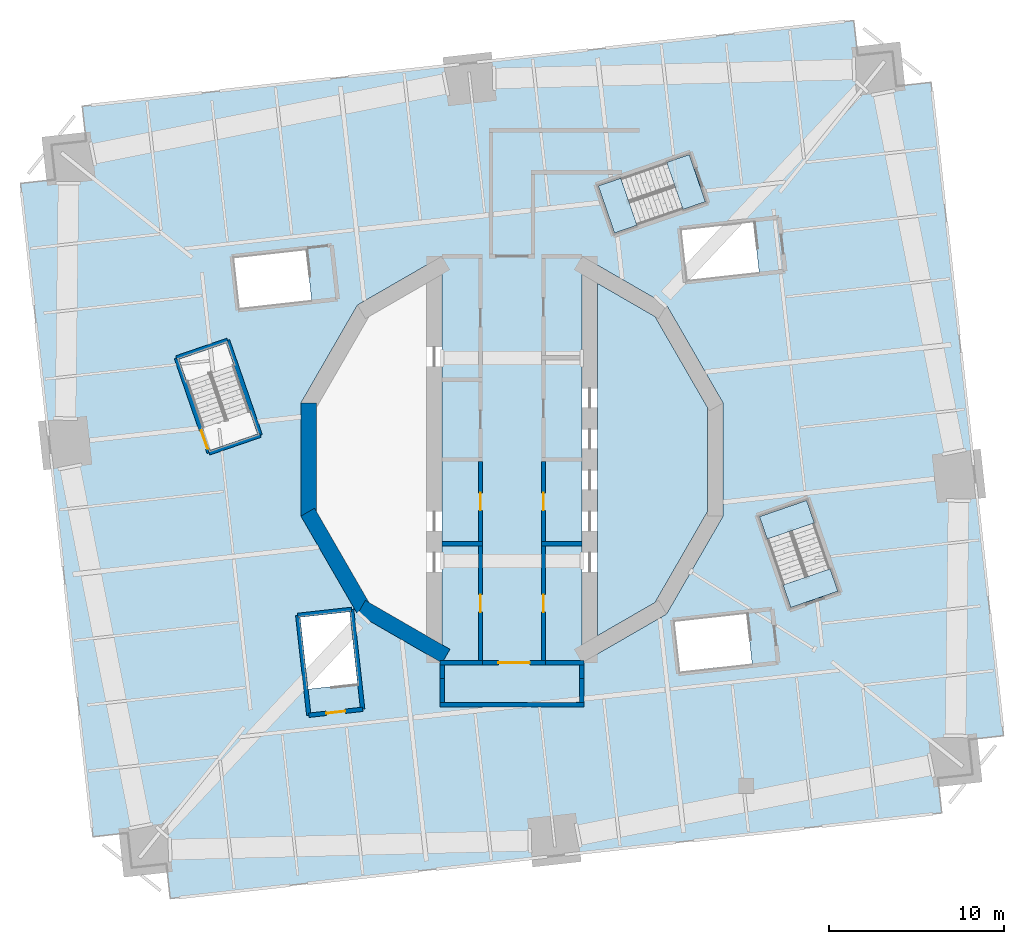
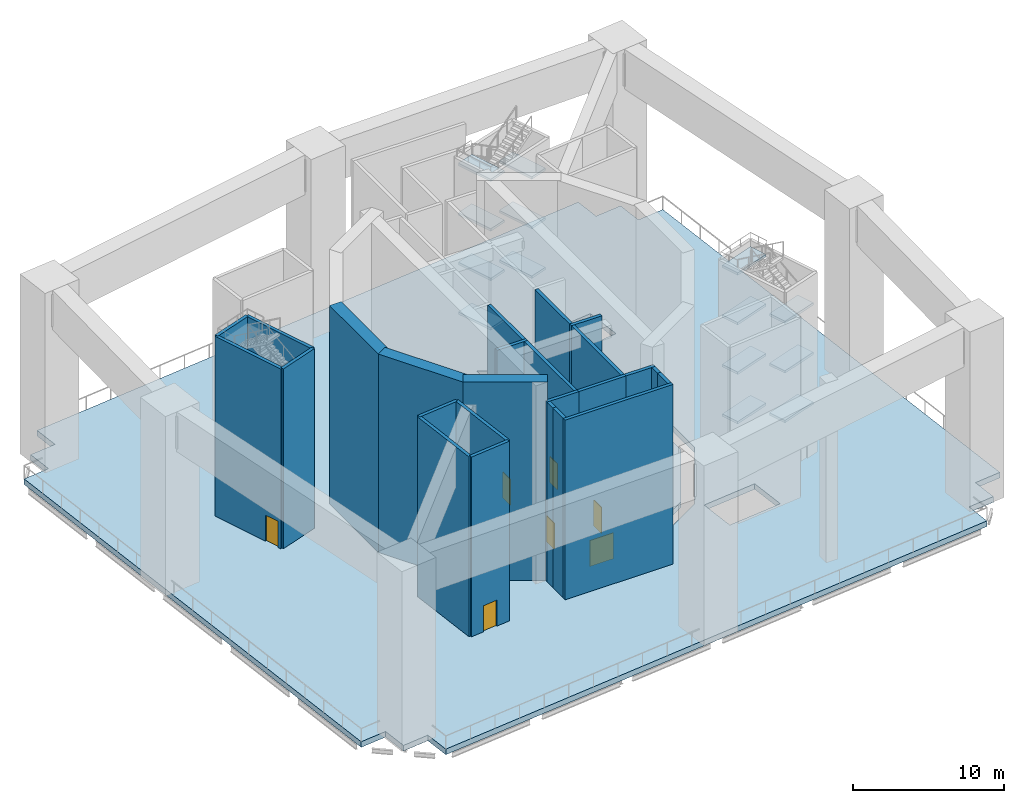
# One storey, part 3 of 13: 25 walls, 16 slabs, 7 doors, 7 openings, 2 elements without a shape of their own.
"""IFC4 building model written with IfcOpenShell, lengths in metres."""

from ifc_helpers import new_model, si_unit, direction, frame, frame_2d, origin, place, context, subcontext, project, spatial, polyline, rectangle, outline, extrude, material, layer, layer_set, type_object, element, fill, aggregate, save


model = new_model("IFC4")

# Units and contexts
model_context = context("Model", 3, precision=1e-05, world=origin(), true_north=direction((0.0, 1.0)))
body_context = subcontext(model_context, "Body", "Model", "MODEL_VIEW")
ifc_project = project(units=[si_unit("LENGTHUNIT", "METRE"), si_unit("AREAUNIT", "SQUARE_METRE"), si_unit("VOLUMEUNIT", "CUBIC_METRE"), si_unit("PLANEANGLEUNIT", "RADIAN"), si_unit("MASSUNIT", "GRAM", prefix="KILO")], contexts=[model_context])

# Site, building, storey
site_placement = place(None, origin())
site = spatial("IfcSite", under=ifc_project, at=site_placement, CompositionType="ELEMENT")
building_placement = place(site_placement, origin())
building = spatial("IfcBuilding", under=site, at=building_placement, Name="Cantera Rosa Tower", CompositionType="ELEMENT")
storey_placement = place(building_placement, frame((0.0, 0.0, 84.300048828125)))
storey = spatial("IfcBuildingStorey", under=building, at=storey_placement, Name="L18", CompositionType="ELEMENT", Elevation=84.300048828125)

# Slabs
ifc_material_1 = material(Name="Concrete C50/60", Category="concrete")
ifc_layer_1 = layer(ifc_material_1, 0.449951171875)
ifc_layer_set_1 = layer_set([ifc_layer_1], Name="RC TRANSFER PLATE 450 C50/60")
slab_type_1 = type_object("IfcSlabType", Name="RC TRANSFER PLATE 450 C50/60", PredefinedType="FLOOR", material=ifc_layer_set_1)
slab_1_placement = place(storey_placement, frame((0.0, 0.0, -0.449951171875)))
element("IfcSlab", 1, at=slab_1_placement, inside=storey, type_object=slab_type_1, Name="SLAB L18 floor 2", PredefinedType="FLOOR", context=body_context, shape_type="SweptSolid", body=[
    extrude(outline(polyline([(26.3466796875, -18.00341796875), (24.35888671875, -18.22412109375), (24.57958984375, -20.2119140625), (-19.54931640625, -25.10986328125), (-19.77001953125, -23.1220703125), (-21.7578125, -23.342529296875), (-21.978515625, -21.354736328125), (-23.96630859375, -21.575439453125), (-28.114013671875, 15.795166015625), (-26.126220703125, 16.015625), (-26.3466796875, 18.00341796875), (-24.35888671875, 18.22412109375), (-24.57958984375, 20.2119140625), (19.54931640625, 25.10986328125), (19.77001953125, 23.1220703125), (21.7578125, 23.342529296875), (21.978515625, 21.354736328125), (23.96630859375, 21.575439453125), (28.114013671875, -15.795166015625), (26.126220703125, -16.015625), (26.3466796875, -18.00341796875)]), holes=[polyline([(-12.11962890625, -9.02392578125), (-11.6630859375, -13.13671875), (-8.83056640625, -12.822265625), (-9.287109375, -8.709716796875), (-12.11962890625, -9.02392578125)]), polyline([(9.3095703125, -9.287109375), (9.6240234375, -12.11962890625), (13.73681640625, -11.6630859375), (13.42236328125, -8.83056640625), (9.3095703125, -9.287109375)]), polyline([(-12.07421875, 3.235107421875), (-12.07421875, -3.235107421875), (-8.8388671875, -8.8388671875), (-4.0, -11.632568359375), (-4.0, 11.632568359375), (-8.8388671875, 8.8388671875), (-12.07421875, 3.235107421875)]), polyline([(12.07421875, 3.235107421875), (8.8388671875, 8.8388671875), (4.0, 11.632568359375), (4.0, -11.632568359375), (8.8388671875, -8.8388671875), (12.07421875, -3.235107421875), (12.07421875, 3.235107421875)]), polyline([(-15.890380859375, 11.512939453125), (-15.575927734375, 8.680419921875), (-11.46337890625, 9.13671875), (-11.777587890625, 11.969482421875), (-15.890380859375, 11.512939453125)]), polyline([(9.709716796875, 13.11279296875), (10.02392578125, 10.2802734375), (14.13671875, 10.73681640625), (13.822265625, 13.5693359375), (9.709716796875, 13.11279296875)])]), origin(), (0.0, 0.0, 1.0), 0.449951171875),
])
slab_2_placement = place(storey_placement, frame((0.0, 0.0, -0.449951171875)))
element("IfcSlab", 2, at=slab_2_placement, inside=storey, type_object=slab_type_1, Name="SLAB L18 floor 3", PredefinedType="FLOOR", context=body_context, shape_type="SweptSolid", body=[
    extrude(outline(polyline([(4.89990234375, 10.07373046875), (8.179931640625, 8.179931640625), (11.174072265625, 2.994140625), (11.174072265625, -2.994140625), (8.179931640625, -8.179931640625), (4.89990234375, -10.07373046875), (4.89990234375, 10.07373046875)])), origin(), (0.0, 0.0, 1.0), 0.449951171875),
])

# Stair, slabs
ifc_material_2 = material(Name="Concrete C35/45", Category="concrete")
stair_type = type_object("IfcStairType", Name="EXIT STAIR 1350 DOGLEG", PredefinedType="HALF_TURN_STAIR", material=ifc_material_2)
stair_1_placement = place(storey_placement, origin())
stair_1 = element("IfcStair", 3, at=stair_1_placement, inside=storey, type_object=stair_type, Name="L18 ST-21", PredefinedType="HALF_TURN_STAIR")
ifc_material_3 = material(Name="Concrete C35/45", Category="concrete")
ifc_layer_2 = layer(ifc_material_3, 0.199951171875)
ifc_layer_set_2 = layer_set([ifc_layer_2], Name="STAIR LANDING 200")
slab_type_2 = type_object("IfcSlabType", Name="STAIR LANDING 200", PredefinedType="LANDING", material=ifc_layer_set_2)
slab_3_placement = place(storey_placement, frame((0.0, 0.0, 1.800048828125)))
slab_3 = element("IfcSlab", 4, at=slab_3_placement, type_object=slab_type_2, Name="ST-21 landing 1", PredefinedType="LANDING", context=body_context, shape_type="SweptSolid", body=[
    extrude(outline(polyline([(6.2236328125, 16.095458984375), (4.935791015625, 15.652099609375), (5.86376953125, 12.957275390625), (7.151611328125, 13.400634765625), (6.2236328125, 16.095458984375)])), origin(), (0.0, 0.0, 1.0), 0.199951171875),
])
slab_4_placement = place(storey_placement, frame((0.0, 0.0, 3.800048828125)))
slab_4 = element("IfcSlab", 5, at=slab_4_placement, type_object=slab_type_2, Name="ST-21 landing 2", PredefinedType="LANDING", context=body_context, shape_type="SweptSolid", body=[
    extrude(outline(polyline([(10.13623046875, 17.442626953125), (8.848388671875, 16.999267578125), (9.7763671875, 14.304443359375), (11.064208984375, 14.748046875), (10.13623046875, 17.442626953125)])), origin(), (0.0, 0.0, 1.0), 0.199951171875),
])
slab_5_placement = place(storey_placement, frame((0.0, 0.0, 5.800048828125)))
slab_5 = element("IfcSlab", 6, at=slab_5_placement, type_object=slab_type_2, Name="ST-21 landing 3", PredefinedType="LANDING", context=body_context, shape_type="SweptSolid", body=[
    extrude(outline(polyline([(6.2236328125, 16.095458984375), (4.935791015625, 15.652099609375), (5.86376953125, 12.957275390625), (7.151611328125, 13.400634765625), (6.2236328125, 16.095458984375)])), origin(), (0.0, 0.0, 1.0), 0.199951171875),
])
slab_6_placement = place(storey_placement, frame((0.0, 0.0, 7.800048828125)))
slab_6 = element("IfcSlab", 7, at=slab_6_placement, type_object=slab_type_2, Name="ST-21 landing 4", PredefinedType="LANDING", context=body_context, shape_type="SweptSolid", body=[
    extrude(outline(polyline([(10.13623046875, 17.442626953125), (8.848388671875, 16.999267578125), (9.7763671875, 14.304443359375), (11.064208984375, 14.748046875), (10.13623046875, 17.442626953125)])), origin(), (0.0, 0.0, 1.0), 0.199951171875),
])
slab_7_placement = place(storey_placement, frame((0.0, 0.0, 9.800048828125)))
slab_7 = element("IfcSlab", 8, at=slab_7_placement, type_object=slab_type_2, Name="ST-21 landing 5", PredefinedType="LANDING", context=body_context, shape_type="SweptSolid", body=[
    extrude(outline(polyline([(6.2236328125, 16.095458984375), (4.935791015625, 15.652099609375), (5.86376953125, 12.957275390625), (7.151611328125, 13.400634765625), (6.2236328125, 16.095458984375)])), origin(), (0.0, 0.0, 1.0), 0.199951171875),
])
slab_8_placement = place(storey_placement, frame((0.0, 0.0, 11.800048828125)))
slab_8 = element("IfcSlab", 9, at=slab_8_placement, type_object=slab_type_2, Name="ST-21 landing 6", PredefinedType="LANDING", context=body_context, shape_type="SweptSolid", body=[
    extrude(outline(polyline([(10.13623046875, 17.442626953125), (8.848388671875, 16.999267578125), (9.7763671875, 14.304443359375), (11.064208984375, 14.748046875), (10.13623046875, 17.442626953125)])), origin(), (0.0, 0.0, 1.0), 0.199951171875),
])
slab_9_placement = place(storey_placement, frame((0.0, 0.0, 13.800048828125)))
slab_9 = element("IfcSlab", 10, at=slab_9_placement, type_object=slab_type_2, Name="ST-21 landing 7", PredefinedType="LANDING", context=body_context, shape_type="SweptSolid", body=[
    extrude(outline(polyline([(6.2236328125, 16.095458984375), (4.935791015625, 15.652099609375), (5.86376953125, 12.957275390625), (7.151611328125, 13.400634765625), (6.2236328125, 16.095458984375)])), origin(), (0.0, 0.0, 1.0), 0.199951171875),
])
aggregate(stair_1, [slab_3, slab_4, slab_5, slab_6, slab_7, slab_8, slab_9])

stair_2_placement = place(storey_placement, origin())
stair_2 = element("IfcStair", 11, at=stair_2_placement, inside=storey, type_object=stair_type, Name="L18 ST-23", PredefinedType="HALF_TURN_STAIR")
slab_10_placement = place(storey_placement, frame((0.0, 0.0, 1.800048828125)))
slab_10 = element("IfcSlab", 12, at=slab_10_placement, type_object=slab_type_2, Name="ST-23 landing 1", PredefinedType="LANDING", context=body_context, shape_type="SweptSolid", body=[
    extrude(outline(polyline([(17.29541015625, -3.623779296875), (16.85205078125, -2.3359375), (14.1572265625, -3.263671875), (14.600830078125, -4.551513671875), (17.29541015625, -3.623779296875)])), origin(), (0.0, 0.0, 1.0), 0.199951171875),
])
slab_11_placement = place(storey_placement, frame((0.0, 0.0, 3.800048828125)))
slab_11 = element("IfcSlab", 13, at=slab_11_placement, type_object=slab_type_2, Name="ST-23 landing 2", PredefinedType="LANDING", context=body_context, shape_type="SweptSolid", body=[
    extrude(outline(polyline([(18.642578125, -7.5361328125), (18.19921875, -6.24853515625), (15.504638671875, -7.17626953125), (15.947998046875, -8.464111328125), (18.642578125, -7.5361328125)])), origin(), (0.0, 0.0, 1.0), 0.199951171875),
])
slab_12_placement = place(storey_placement, frame((0.0, 0.0, 5.800048828125)))
slab_12 = element("IfcSlab", 14, at=slab_12_placement, type_object=slab_type_2, Name="ST-23 landing 3", PredefinedType="LANDING", context=body_context, shape_type="SweptSolid", body=[
    extrude(outline(polyline([(17.29541015625, -3.623779296875), (16.85205078125, -2.3359375), (14.1572265625, -3.263671875), (14.600830078125, -4.551513671875), (17.29541015625, -3.623779296875)])), origin(), (0.0, 0.0, 1.0), 0.199951171875),
])
slab_13_placement = place(storey_placement, frame((0.0, 0.0, 7.800048828125)))
slab_13 = element("IfcSlab", 15, at=slab_13_placement, type_object=slab_type_2, Name="ST-23 landing 4", PredefinedType="LANDING", context=body_context, shape_type="SweptSolid", body=[
    extrude(outline(polyline([(18.642578125, -7.5361328125), (18.19921875, -6.24853515625), (15.504638671875, -7.17626953125), (15.947998046875, -8.464111328125), (18.642578125, -7.5361328125)])), origin(), (0.0, 0.0, 1.0), 0.199951171875),
])
slab_14_placement = place(storey_placement, frame((0.0, 0.0, 9.800048828125)))
slab_14 = element("IfcSlab", 16, at=slab_14_placement, type_object=slab_type_2, Name="ST-23 landing 5", PredefinedType="LANDING", context=body_context, shape_type="SweptSolid", body=[
    extrude(outline(polyline([(17.29541015625, -3.623779296875), (16.85205078125, -2.3359375), (14.1572265625, -3.263671875), (14.600830078125, -4.551513671875), (17.29541015625, -3.623779296875)])), origin(), (0.0, 0.0, 1.0), 0.199951171875),
])
slab_15_placement = place(storey_placement, frame((0.0, 0.0, 11.800048828125)))
slab_15 = element("IfcSlab", 17, at=slab_15_placement, type_object=slab_type_2, Name="ST-23 landing 6", PredefinedType="LANDING", context=body_context, shape_type="SweptSolid", body=[
    extrude(outline(polyline([(18.642578125, -7.5361328125), (18.19921875, -6.24853515625), (15.504638671875, -7.17626953125), (15.947998046875, -8.464111328125), (18.642578125, -7.5361328125)])), origin(), (0.0, 0.0, 1.0), 0.199951171875),
])
slab_16_placement = place(storey_placement, frame((0.0, 0.0, 13.800048828125)))
slab_16 = element("IfcSlab", 18, at=slab_16_placement, type_object=slab_type_2, Name="ST-23 landing 7", PredefinedType="LANDING", context=body_context, shape_type="SweptSolid", body=[
    extrude(outline(polyline([(17.29541015625, -3.623779296875), (16.85205078125, -2.3359375), (14.1572265625, -3.263671875), (14.600830078125, -4.551513671875), (17.29541015625, -3.623779296875)])), origin(), (0.0, 0.0, 1.0), 0.199951171875),
])
aggregate(stair_2, [slab_10, slab_11, slab_12, slab_13, slab_14, slab_15, slab_16])

# Walls
ifc_material_4 = material(Name="Masonry blockwork", Category="masonry")
ifc_layer_3 = layer(ifc_material_4, 0.25)
ifc_layer_set_3 = layer_set([ifc_layer_3], Name="Fire-rated external wall 250")
wall_type_1 = type_object("IfcWallType", Name="Fire-rated external wall 250", PredefinedType="PARTITIONING", material=ifc_layer_set_3)
wall_1_placement = place(storey_placement, frame((-4.0, -13.902099609375, 0.0), z_axis=(0.0, 0.0, 1.0), x_axis=(0.0, 1.0, 0.0)))
element("IfcWall", 19, at=wall_1_placement, inside=storey, type_object=wall_type_1, Name="Fire wall L18-6", PredefinedType="PARTITIONING", context=body_context, shape_type="SweptSolid", body=[
    extrude(rectangle(XDim=1.36962890625, YDim=0.25, at=frame_2d((0.684814453125, 0.0))), origin(), (0.0, 0.0, 1.0), 14.5),
])
wall_2_placement = place(storey_placement, frame((-4.0, -12.532470703125, 0.0), z_axis=(0.0, 0.0, 1.0), x_axis=(0.0, 1.0, 0.0)))
element("IfcWall", 20, at=wall_2_placement, inside=storey, type_object=wall_type_1, Name="Fire wall L18-7", PredefinedType="PARTITIONING", context=body_context, shape_type="SweptSolid", body=[
    extrude(rectangle(XDim=0.7744140625, YDim=0.25, at=frame_2d((0.38720703125, 0.0))), origin(), (0.0, 0.0, 1.0), 14.5),
])
wall_3_placement = place(storey_placement, frame((4.0, -13.902099609375, 0.0), z_axis=(0.0, 0.0, 1.0), x_axis=(0.0, 1.0, 0.0)))
element("IfcWall", 21, at=wall_3_placement, inside=storey, type_object=wall_type_1, Name="Fire wall L18-10", PredefinedType="PARTITIONING", context=body_context, shape_type="SweptSolid", body=[
    extrude(rectangle(XDim=1.36962890625, YDim=0.25, at=frame_2d((0.684814453125, 0.0))), origin(), (0.0, 0.0, 1.0), 14.5),
])
wall_4_placement = place(storey_placement, frame((4.0, -12.532470703125, 0.0), z_axis=(0.0, 0.0, 1.0), x_axis=(0.0, 1.0, 0.0)))
element("IfcWall", 22, at=wall_4_placement, inside=storey, type_object=wall_type_1, Name="Fire wall L18-11", PredefinedType="PARTITIONING", context=body_context, shape_type="SweptSolid", body=[
    extrude(rectangle(XDim=0.7744140625, YDim=0.25, at=frame_2d((0.38720703125, 0.0))), origin(), (0.0, 0.0, 1.0), 14.5),
])
wall_5_placement = place(storey_placement, frame((-4.125, -14.027099609375, 0.0), z_axis=(0.0, 0.0, 1.0), x_axis=(1.0, 0.0, 0.0)))
element("IfcWall", 23, at=wall_5_placement, inside=storey, type_object=wall_type_1, Name="Fire wall L18-25", PredefinedType="PARTITIONING", context=body_context, shape_type="SweptSolid", body=[
    extrude(rectangle(XDim=8.25, YDim=0.25, at=frame_2d((4.125, 0.0))), origin(), (0.0, 0.0, 1.0), 14.5),
])

# Wall, opening, door
ifc_material_5 = material(Name="Masonry blockwork", Category="masonry")
ifc_layer_4 = layer(ifc_material_5, 0.25)
ifc_layer_set_4 = layer_set([ifc_layer_4], Name="Fire-rated wall 250")
wall_type_2 = type_object("IfcWallType", Name="Fire-rated wall 250", PredefinedType="PARTITIONING", material=ifc_layer_set_4)
wall_6_placement = place(storey_placement, frame((-1.800048828125, -11.508056640625, 0.0), z_axis=(0.0, 0.0, 1.0), x_axis=(0.0, 1.0, 0.0)))
wall_6 = element("IfcWall", 24, at=wall_6_placement, inside=storey, type_object=wall_type_2, Name="Fire wall L18-1", PredefinedType="PARTITIONING", context=body_context, shape_type="SweptSolid", body=[
    extrude(rectangle(XDim=6.55810546875, YDim=0.25, at=frame_2d((3.279052734375, 0.0))), origin(), (0.0, 0.0, 1.0), 14.5),
])
opening_1_placement = place(wall_6_placement, frame((2.779052734375, 0.0, 0.0)))
opening_1 = element("IfcOpeningElement", 25, at=opening_1_placement, cuts=wall_6, Name="Opening L18-001", PredefinedType="OPENING", context=body_context, shape_type="SweptSolid", body=[
    extrude(rectangle(XDim=1.0, YDim=2.10009765625, at=frame_2d((0.5, 1.050048828125))), frame((0.0, 0.135009765625, 0.0), z_axis=(0.0, -1.0, 0.0), x_axis=(1.0, 0.0, 0.0)), (0.0, 0.0, 1.0), 0.27001953125),
])
ifc_material_6 = material(Name="Steel S355J2 (EN 10025-2)", Category="steel")
door_type_1 = type_object("IfcDoorType", Name="Fire door 1000x2100", OperationType="NOTDEFINED", PredefinedType="DOOR", material=ifc_material_6)
door_1_placement = place(opening_1_placement, origin())
door_1 = element("IfcDoor", 26, at=door_1_placement, inside=storey, type_object=door_type_1, Name="Door L18-001", OverallHeight=2.10009765625, OverallWidth=1.0, PredefinedType="DOOR", context=body_context, shape_type="SweptSolid", body=[
    extrude(rectangle(XDim=1.0, YDim=2.10009765625, at=frame_2d((0.5, 1.050048828125))), frame((0.0, 0.02490234375, 0.0), z_axis=(0.0, -1.0, 0.0), x_axis=(1.0, 0.0, 0.0)), (0.0, 0.0, 1.0), 0.050048828125),
])
fill(opening_1, door_1)

wall_7_placement = place(storey_placement, frame((-1.800048828125, -4.699951171875, 0.0), z_axis=(0.0, 0.0, 1.0), x_axis=(0.0, 1.0, 0.0)))
wall_7 = element("IfcWall", 27, at=wall_7_placement, inside=storey, type_object=wall_type_2, Name="Fire wall L18-2", PredefinedType="PARTITIONING", context=body_context, shape_type="SweptSolid", body=[
    extrude(rectangle(XDim=4.574951171875, YDim=0.25, at=frame_2d((2.28759765625, 0.0))), origin(), (0.0, 0.0, 1.0), 14.5),
])
opening_2_placement = place(wall_7_placement, frame((1.78759765625, 0.0, 0.0)))
opening_2 = element("IfcOpeningElement", 28, at=opening_2_placement, cuts=wall_7, Name="Opening L18-002", PredefinedType="OPENING", context=body_context, shape_type="SweptSolid", body=[
    extrude(rectangle(XDim=1.0, YDim=2.10009765625, at=frame_2d((0.5, 1.050048828125))), frame((0.0, 0.135009765625, 0.0), z_axis=(0.0, -1.0, 0.0), x_axis=(1.0, 0.0, 0.0)), (0.0, 0.0, 1.0), 0.27001953125),
])
door_2_placement = place(opening_2_placement, origin())
door_2 = element("IfcDoor", 29, at=door_2_placement, inside=storey, type_object=door_type_1, Name="Door L18-002", OverallHeight=2.10009765625, OverallWidth=1.0, PredefinedType="DOOR", context=body_context, shape_type="SweptSolid", body=[
    extrude(rectangle(XDim=1.0, YDim=2.10009765625, at=frame_2d((0.5, 1.050048828125))), frame((0.0, 0.02490234375, 0.0), z_axis=(0.0, -1.0, 0.0), x_axis=(1.0, 0.0, 0.0)), (0.0, 0.0, 1.0), 0.050048828125),
])
fill(opening_2, door_2)

wall_8_placement = place(storey_placement, frame((1.800048828125, -11.508056640625, 0.0), z_axis=(0.0, 0.0, 1.0), x_axis=(0.0, 1.0, 0.0)))
wall_8 = element("IfcWall", 30, at=wall_8_placement, inside=storey, type_object=wall_type_2, Name="Fire wall L18-15", PredefinedType="PARTITIONING", context=body_context, shape_type="SweptSolid", body=[
    extrude(rectangle(XDim=6.55810546875, YDim=0.25, at=frame_2d((3.279052734375, 0.0))), origin(), (0.0, 0.0, 1.0), 14.5),
])
opening_3_placement = place(wall_8_placement, frame((2.779052734375, 0.0, 0.0)))
opening_3 = element("IfcOpeningElement", 31, at=opening_3_placement, cuts=wall_8, Name="Opening L18-004", PredefinedType="OPENING", context=body_context, shape_type="SweptSolid", body=[
    extrude(rectangle(XDim=1.0, YDim=2.10009765625, at=frame_2d((0.5, 1.050048828125))), frame((0.0, 0.135009765625, 0.0), z_axis=(0.0, -1.0, 0.0), x_axis=(1.0, 0.0, 0.0)), (0.0, 0.0, 1.0), 0.27001953125),
])
door_3_placement = place(opening_3_placement, origin())
door_3 = element("IfcDoor", 32, at=door_3_placement, inside=storey, type_object=door_type_1, Name="Door L18-004", OverallHeight=2.10009765625, OverallWidth=1.0, PredefinedType="DOOR", context=body_context, shape_type="SweptSolid", body=[
    extrude(rectangle(XDim=1.0, YDim=2.10009765625, at=frame_2d((0.5, 1.050048828125))), frame((0.0, 0.02490234375, 0.0), z_axis=(0.0, -1.0, 0.0), x_axis=(1.0, 0.0, 0.0)), (0.0, 0.0, 1.0), 0.050048828125),
])
fill(opening_3, door_3)

wall_9_placement = place(storey_placement, frame((1.800048828125, -4.699951171875, 0.0), z_axis=(0.0, 0.0, 1.0), x_axis=(0.0, 1.0, 0.0)))
wall_9 = element("IfcWall", 33, at=wall_9_placement, inside=storey, type_object=wall_type_2, Name="Fire wall L18-16", PredefinedType="PARTITIONING", context=body_context, shape_type="SweptSolid", body=[
    extrude(rectangle(XDim=4.574951171875, YDim=0.25, at=frame_2d((2.28759765625, 0.0))), origin(), (0.0, 0.0, 1.0), 14.5),
])
opening_4_placement = place(wall_9_placement, frame((1.78759765625, 0.0, 0.0)))
opening_4 = element("IfcOpeningElement", 34, at=opening_4_placement, cuts=wall_9, Name="Opening L18-005", PredefinedType="OPENING", context=body_context, shape_type="SweptSolid", body=[
    extrude(rectangle(XDim=1.0, YDim=2.10009765625, at=frame_2d((0.5, 1.050048828125))), frame((0.0, 0.135009765625, 0.0), z_axis=(0.0, -1.0, 0.0), x_axis=(1.0, 0.0, 0.0)), (0.0, 0.0, 1.0), 0.27001953125),
])
door_4_placement = place(opening_4_placement, origin())
door_4 = element("IfcDoor", 35, at=door_4_placement, inside=storey, type_object=door_type_1, Name="Door L18-005", OverallHeight=2.10009765625, OverallWidth=1.0, PredefinedType="DOOR", context=body_context, shape_type="SweptSolid", body=[
    extrude(rectangle(XDim=1.0, YDim=2.10009765625, at=frame_2d((0.5, 1.050048828125))), frame((0.0, 0.02490234375, 0.0), z_axis=(0.0, -1.0, 0.0), x_axis=(1.0, 0.0, 0.0)), (0.0, 0.0, 1.0), 0.050048828125),
])
fill(opening_4, door_4)

# Walls
for number, where, z_axis, x_axis, name in (
    (36, (-4.0, -4.824951171875, 0.0), (0.0, 0.0, 1.0), (1.0, 0.0, 0.0), "Fire wall L18-20"),
    (37, (1.675048828125, -4.824951171875, 0.0), (0.0, 0.0, 1.0), (1.0, 0.0, 0.0), "Fire wall L18-21"),
):
    element("IfcWall", number, at=place(storey_placement, frame(where, z_axis=z_axis, x_axis=x_axis)), inside=storey, type_object=wall_type_2, Name=name, PredefinedType="PARTITIONING", context=body_context, shape_type="SweptSolid", body=[
        extrude(rectangle(XDim=2.324951171875, YDim=0.25, at=frame_2d((1.16259765625, 0.0))), origin(), (0.0, 0.0, 1.0), 14.5),
    ])
wall_10_placement = place(storey_placement, frame((-4.125, -11.633056640625, 0.0), z_axis=(0.0, 0.0, 1.0), x_axis=(1.0, 0.0, 0.0)))
element("IfcWall", 38, at=wall_10_placement, inside=storey, type_object=wall_type_2, Name="Fire wall L18-22", PredefinedType="PARTITIONING", context=body_context, shape_type="SweptSolid", body=[
    extrude(rectangle(XDim=2.449951171875, YDim=0.25, at=frame_2d((1.22509765625, 0.0))), origin(), (0.0, 0.0, 1.0), 14.5),
])

# Wall, opening, door
wall_11_placement = place(storey_placement, frame((-1.675048828125, -11.633056640625, 0.0), z_axis=(0.0, 0.0, 1.0), x_axis=(1.0, 0.0, 0.0)))
wall_11 = element("IfcWall", 39, at=wall_11_placement, inside=storey, type_object=wall_type_2, Name="Fire wall L18-23", PredefinedType="PARTITIONING", context=body_context, shape_type="SweptSolid", body=[
    extrude(rectangle(XDim=3.60009765625, YDim=0.25, at=frame_2d((1.800048828125, 0.0))), origin(), (0.0, 0.0, 1.0), 14.5),
])
opening_5_placement = place(wall_11_placement, frame((0.89990234375, 0.0, 0.0)))
opening_5 = element("IfcOpeningElement", 40, at=opening_5_placement, cuts=wall_11, Name="Opening L18-007", PredefinedType="OPENING", context=body_context, shape_type="SweptSolid", body=[
    extrude(rectangle(XDim=1.800048828125, YDim=2.10009765625, at=frame_2d((0.89990234375, 1.050048828125))), frame((0.0, 0.135009765625, 0.0), z_axis=(0.0, -1.0, 0.0), x_axis=(1.0, 0.0, 0.0)), (0.0, 0.0, 1.0), 0.27001953125),
])
ifc_material_7 = material(Name="Steel S355J2 (EN 10025-2)", Category="steel")
door_type_2 = type_object("IfcDoorType", Name="Fire double door 1800x2100", OperationType="NOTDEFINED", PredefinedType="DOOR", material=ifc_material_7)
door_5_placement = place(opening_5_placement, origin())
door_5 = element("IfcDoor", 41, at=door_5_placement, inside=storey, type_object=door_type_2, Name="Door L18-007", OperationType="DOUBLE_DOOR_SINGLE_SWING", OverallHeight=2.10009765625, OverallWidth=1.800048828125, PredefinedType="DOOR", context=body_context, shape_type="SweptSolid", body=[
    extrude(rectangle(XDim=1.800048828125, YDim=2.10009765625, at=frame_2d((0.89990234375, 1.050048828125))), frame((0.0, 0.02490234375, 0.0), z_axis=(0.0, -1.0, 0.0), x_axis=(1.0, 0.0, 0.0)), (0.0, 0.0, 1.0), 0.050048828125),
])
fill(opening_5, door_5)

# Walls
wall_12_placement = place(storey_placement, frame((1.925048828125, -11.633056640625, 0.0), z_axis=(0.0, 0.0, 1.0), x_axis=(1.0, 0.0, 0.0)))
element("IfcWall", 42, at=wall_12_placement, inside=storey, type_object=wall_type_2, Name="Fire wall L18-24", PredefinedType="PARTITIONING", context=body_context, shape_type="SweptSolid", body=[
    extrude(rectangle(XDim=2.199951171875, YDim=0.25, at=frame_2d((1.10009765625, 0.0))), origin(), (0.0, 0.0, 1.0), 14.5),
])
ifc_material_8 = material(Name="Concrete C70/85", Category="concrete")
ifc_layer_5 = layer(ifc_material_8, 0.89990234375)
ifc_layer_set_5 = layer_set([ifc_layer_5], Name="RC CORE WALL 900 C70/85")
wall_type_3 = type_object("IfcWallType", Name="RC CORE WALL 900 C70/85", PredefinedType="SHEAR", material=ifc_layer_set_5)
wall_13_placement = place(storey_placement, frame((-3.77490234375, -11.242919921875, 0.0), z_axis=(0.0, 0.0, 1.0), x_axis=(-0.866026961591, 0.49999730179, 0.0)))
element("IfcWall", 43, at=wall_13_placement, inside=storey, type_object=wall_type_3, Name="CW-W1 L18", PredefinedType="SHEAR", context=body_context, shape_type="SweptSolid", body=[
    extrude(rectangle(XDim=5.58740234375, YDim=0.89990234375, at=frame_2d((2.793701171875, 0.0))), origin(), (0.0, 0.0, 1.0), 16.0),
])
wall_14_placement = place(storey_placement, frame((-8.44921875, -8.61376953125, 0.0), z_axis=(0.0, 0.0, 1.0), x_axis=(-0.499990282633, 0.866031014036, 0.0)))
element("IfcWall", 44, at=wall_14_placement, inside=storey, type_object=wall_type_3, Name="CW-W2 L18", PredefinedType="SHEAR", context=body_context, shape_type="SweptSolid", body=[
    extrude(rectangle(XDim=6.470458984375, YDim=0.89990234375, at=frame_2d((3.2353515625, 0.0))), origin(), (0.0, 0.0, 1.0), 16.0),
])
wall_15_placement = place(storey_placement, frame((-11.6240234375, -3.2353515625, 0.0), z_axis=(0.0, 0.0, 1.0), x_axis=(0.0, 1.0, 0.0)))
element("IfcWall", 45, at=wall_15_placement, inside=storey, type_object=wall_type_3, Name="CW-W3 L18", PredefinedType="SHEAR", context=body_context, shape_type="SweptSolid", body=[
    extrude(rectangle(XDim=6.470703125, YDim=0.89990234375, at=frame_2d((3.2353515625, 0.0))), origin(), (0.0, 0.0, 1.0), 16.0),
])
ifc_material_9 = material(Name="Concrete C50/60", Category="concrete")
ifc_layer_6 = layer(ifc_material_9, 0.25)
ifc_layer_set_6 = layer_set([ifc_layer_6], Name="RC stair wall 250 C50/60")
wall_type_4 = type_object("IfcWallType", Name="RC stair wall 250", PredefinedType="SOLIDWALL", material=ifc_layer_set_6)
wall_16_placement = place(storey_placement, frame((-14.3984375, 1.38623046875, 0.0), z_axis=(0.0, 0.0, 1.0), x_axis=(-0.945518510753, -0.325568342783, 0.0)))
element("IfcWall", 46, at=wall_16_placement, inside=storey, type_object=wall_type_4, Name="STAIR WALL ST-22 L18-11", PredefinedType="SOLIDWALL", context=body_context, shape_type="SweptSolid", body=[
    extrude(rectangle(XDim=3.10009765625, YDim=0.25, at=frame_2d((1.550048828125, 0.0))), origin(), (0.0, 0.0, 1.0), 14.5),
])

# Wall, opening, door
wall_17_placement = place(storey_placement, frame((-17.32958984375, 0.376953125, 0.0), z_axis=(0.0, 0.0, 1.0), x_axis=(-0.32557454588, 0.945516374832, 0.0)))
wall_17 = element("IfcWall", 47, at=wall_17_placement, inside=storey, type_object=wall_type_4, Name="STAIR WALL ST-22 L18-21", PredefinedType="SOLIDWALL", context=body_context, shape_type="SweptSolid", body=[
    extrude(rectangle(XDim=5.75, YDim=0.25, at=frame_2d((2.875, 0.0))), origin(), (0.0, 0.0, 1.0), 14.5),
])
opening_6_placement = place(wall_17_placement, frame((0.25, 0.0, 0.0)))
opening_6 = element("IfcOpeningElement", 48, at=opening_6_placement, cuts=wall_17, Name="Opening L18-ST-22", PredefinedType="OPENING", context=body_context, shape_type="SweptSolid", body=[
    extrude(rectangle(XDim=1.10009765625, YDim=2.10009765625, at=frame_2d((0.550048828125, 1.050048828125))), frame((0.0, 0.135009765625, 0.0), z_axis=(0.0, -1.0, 0.0), x_axis=(1.0, 0.0, 0.0)), (0.0, 0.0, 1.0), 0.27001953125),
])
ifc_material_10 = material(Name="Steel S355J2 (EN 10025-2)", Category="steel")
door_type_3 = type_object("IfcDoorType", Name="STAIR DOOR 1100x2100", OperationType="NOTDEFINED", PredefinedType="DOOR", material=ifc_material_10)
door_6_placement = place(opening_6_placement, origin())
door_6 = element("IfcDoor", 49, at=door_6_placement, inside=storey, type_object=door_type_3, Name="DOOR L18-ST-22", OperationType="NOTDEFINED", OverallHeight=2.10009765625, OverallWidth=1.10009765625, PredefinedType="DOOR", context=body_context, shape_type="SweptSolid", body=[
    extrude(rectangle(XDim=1.10009765625, YDim=2.10009765625, at=frame_2d((0.550048828125, 1.050048828125))), frame((0.0, 0.02490234375, 0.0), z_axis=(0.0, -1.0, 0.0), x_axis=(1.0, 0.0, 0.0)), (0.0, 0.0, 1.0), 0.050048828125),
])
fill(opening_6, door_6)

# Walls
wall_18_placement = place(storey_placement, frame((-19.20166015625, 5.813720703125, 0.0), z_axis=(0.0, 0.0, 1.0), x_axis=(0.945518510753, 0.325568342783, 0.0)))
element("IfcWall", 50, at=wall_18_placement, inside=storey, type_object=wall_type_4, Name="STAIR WALL ST-22 L18-31", PredefinedType="SOLIDWALL", context=body_context, shape_type="SweptSolid", body=[
    extrude(rectangle(XDim=3.10009765625, YDim=0.25, at=frame_2d((1.550048828125, 0.0))), origin(), (0.0, 0.0, 1.0), 14.5),
])
wall_19_placement = place(storey_placement, frame((-16.2705078125, 6.822998046875, 0.0), z_axis=(0.0, 0.0, 1.0), x_axis=(0.32557454588, -0.945516374832, 0.0)))
element("IfcWall", 51, at=wall_19_placement, inside=storey, type_object=wall_type_4, Name="STAIR WALL ST-22 L18-41", PredefinedType="SOLIDWALL", context=body_context, shape_type="SweptSolid", body=[
    extrude(rectangle(XDim=5.75, YDim=0.25, at=frame_2d((2.875, 0.0))), origin(), (0.0, 0.0, 1.0), 14.5),
])

# Wall, opening, door
wall_20_placement = place(storey_placement, frame((-8.542236328125, -14.28662109375, 0.0), z_axis=(0.0, 0.0, 1.0), x_axis=(-0.993902928461, -0.110258644996, 0.0)))
wall_20 = element("IfcWall", 52, at=wall_20_placement, inside=storey, type_object=wall_type_4, Name="STAIR WALL ST-13 L18-11", PredefinedType="SOLIDWALL", context=body_context, shape_type="SweptSolid", body=[
    extrude(rectangle(XDim=3.099853515625, YDim=0.25, at=frame_2d((1.5498046875, 0.0))), origin(), (0.0, 0.0, 1.0), 14.5),
])
opening_7_placement = place(wall_20_placement, frame((1.0, 0.0, 0.0)))
opening_7 = element("IfcOpeningElement", 53, at=opening_7_placement, cuts=wall_20, Name="Opening L18-ST-13", PredefinedType="OPENING", context=body_context, shape_type="SweptSolid", body=[
    extrude(rectangle(XDim=1.10009765625, YDim=2.10009765625, at=frame_2d((0.550048828125, 1.050048828125))), frame((0.0, 0.135009765625, 0.0), z_axis=(0.0, -1.0, 0.0), x_axis=(1.0, 0.0, 0.0)), (0.0, 0.0, 1.0), 0.27001953125),
])
door_7_placement = place(opening_7_placement, origin())
door_7 = element("IfcDoor", 54, at=door_7_placement, inside=storey, type_object=door_type_3, Name="DOOR L18-ST-13", OperationType="NOTDEFINED", OverallHeight=2.10009765625, OverallWidth=1.10009765625, PredefinedType="DOOR", context=body_context, shape_type="SweptSolid", body=[
    extrude(rectangle(XDim=1.10009765625, YDim=2.10009765625, at=frame_2d((0.550048828125, 1.050048828125))), frame((0.0, 0.02490234375, 0.0), z_axis=(0.0, -1.0, 0.0), x_axis=(1.0, 0.0, 0.0)), (0.0, 0.0, 1.0), 0.050048828125),
])
fill(opening_7, door_7)

# Walls
wall_21_placement = place(storey_placement, frame((-11.623291015625, -14.62841796875, 0.0), z_axis=(0.0, 0.0, 1.0), x_axis=(-0.110352302466, 0.9938925341, 0.0)))
element("IfcWall", 55, at=wall_21_placement, inside=storey, type_object=wall_type_4, Name="STAIR WALL ST-13 L18-21", PredefinedType="SOLIDWALL", context=body_context, shape_type="SweptSolid", body=[
    extrude(rectangle(XDim=5.75, YDim=0.25, at=frame_2d((2.875, 0.0))), origin(), (0.0, 0.0, 1.0), 14.5),
])
wall_22_placement = place(storey_placement, frame((-12.2578125, -8.91357421875, 0.0), z_axis=(0.0, 0.0, 1.0), x_axis=(0.993895253553, 0.110327806848, 0.0)))
element("IfcWall", 56, at=wall_22_placement, inside=storey, type_object=wall_type_4, Name="STAIR WALL ST-13 L18-31", PredefinedType="SOLIDWALL", context=body_context, shape_type="SweptSolid", body=[
    extrude(rectangle(XDim=3.100341796875, YDim=0.25, at=frame_2d((1.55029296875, 0.0))), origin(), (0.0, 0.0, 1.0), 14.5),
])
wall_23_placement = place(storey_placement, frame((-9.176513671875, -8.571533203125, 0.0), z_axis=(0.0, 0.0, 1.0), x_axis=(0.110305704736, -0.99389770676, 0.0)))
element("IfcWall", 57, at=wall_23_placement, inside=storey, type_object=wall_type_4, Name="STAIR WALL ST-13 L18-41", PredefinedType="SOLIDWALL", context=body_context, shape_type="SweptSolid", body=[
    extrude(rectangle(XDim=5.750244140625, YDim=0.25, at=frame_2d((2.875, 0.0))), origin(), (0.0, 0.0, 1.0), 14.5),
])

save(model, "model.ifc")
